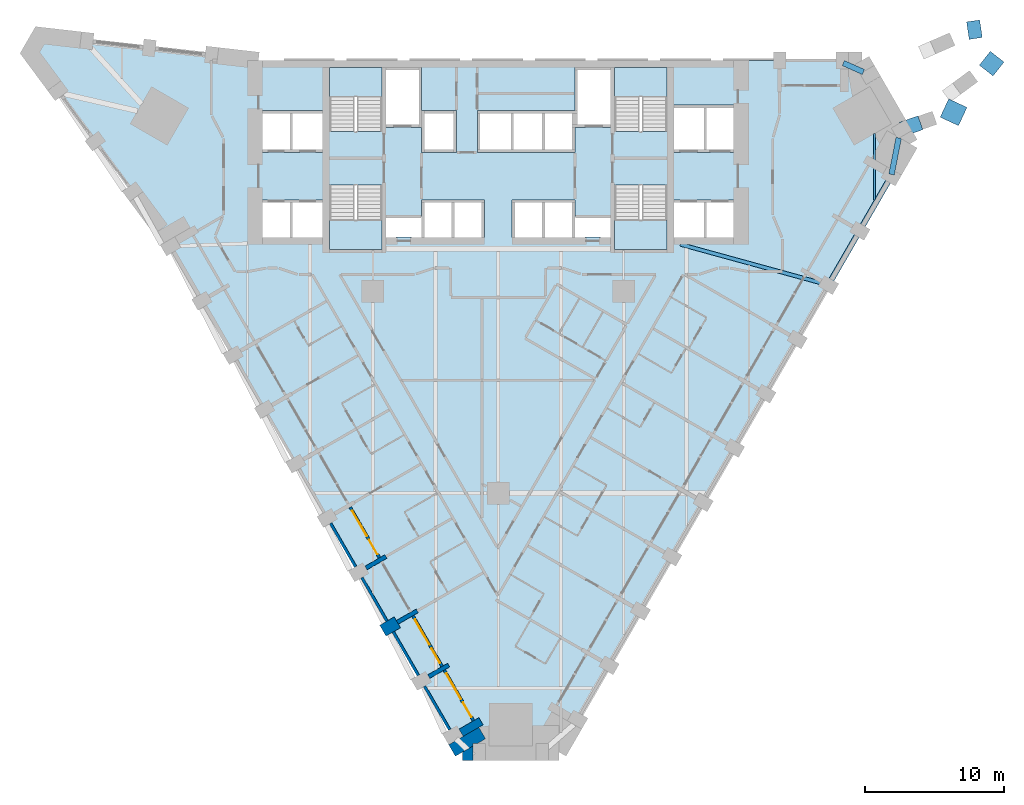
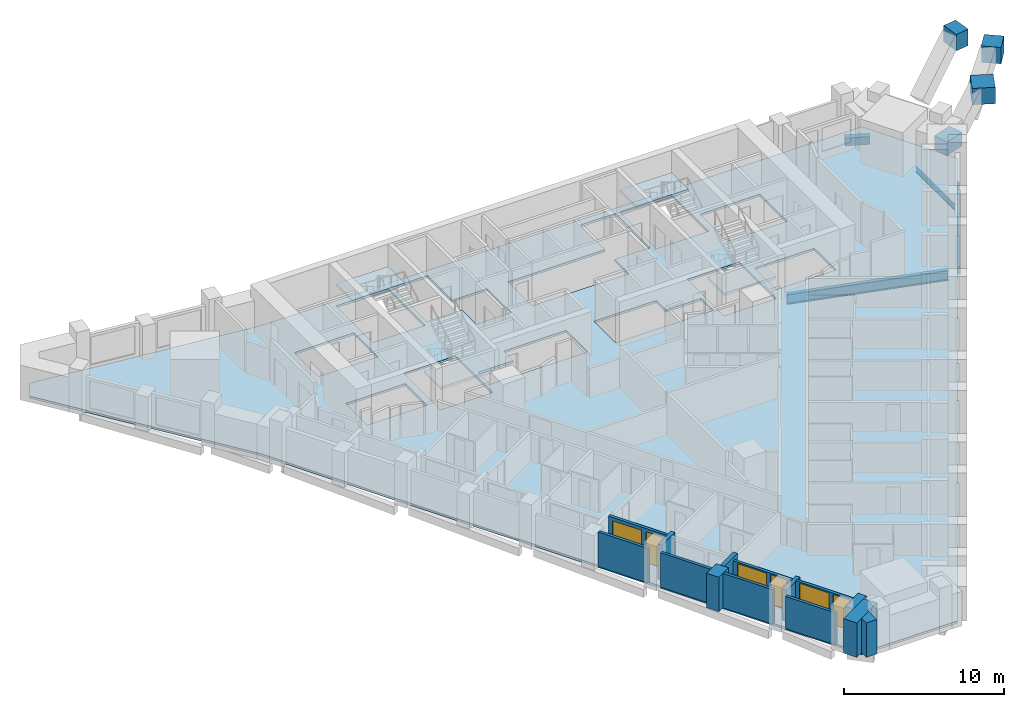
# One storey, part 2 of 12: 14 walls, 9 beams, 5 slabs, 3 doors, 3 windows, 6 openings, 4 elements without a shape of their own.
"""IFC4 building model written with IfcOpenShell, lengths in metres."""

import ifcopenshell
import ifcopenshell.guid

model = None  # the IFC model being written
_history = None  # IfcOwnerHistory: only IFC2X3 demands one
_inside = {}  # id of a spatial element -> (the spatial element, [elements in it])
_under = {}  # id of a project, library or spatial element -> (it, [spatial elements below it])
_declared = {}  # id of a project -> (the project, [libraries it declares])
_typed = {}  # id of a type object -> (the type object, [elements of that type])
_made_of = {}  # id of a material, layer set ... -> (it, [elements and type objects made of it])


def new_model(schema):
    """Start an empty IFC model of exactly this schema.

    Asked for "IFC4X3", IfcOpenShell would pick the latest addendum, in which some entities
    have other attributes; the version numbers below select the first issue.
    IFC2X3 requires an IfcOwnerHistory on every rooted entity: one is made here for all.
    """
    global model, _history
    if schema == "IFC4X3":
        model = ifcopenshell.file(schema_version=(4, 3, 0, 0))
    else:
        model = ifcopenshell.file(schema=schema)
    _inside.clear()
    _under.clear()
    _declared.clear()
    _typed.clear()
    _made_of.clear()
    _history = None
    if model.schema == "IFC2X3":
        org = make("IfcOrganization", Name="unknown")
        user = make(
            "IfcPersonAndOrganization",
            ThePerson=make("IfcPerson", FamilyName="unknown"),
            TheOrganization=org,
        )
        app = make(
            "IfcApplication",
            ApplicationDeveloper=org,
            Version="unknown",
            ApplicationFullName="unknown",
            ApplicationIdentifier="unknown",
        )
        _history = make(
            "IfcOwnerHistory",
            OwningUser=user,
            OwningApplication=app,
            ChangeAction="ADDED",
            CreationDate=0,
        )
    return model


def make(cls, **values):
    """One entity of the class cls with the attributes given. An attribute that is None is left unset."""
    return model.create_entity(
        cls, **{name: value for name, value in values.items() if value is not None}
    )


def rooted(cls, **values):
    """An entity with a GlobalId (a new one), such as an element, a storey or a relation."""
    return make(cls, GlobalId=ifcopenshell.guid.new(), OwnerHistory=_history, **values)


def si_unit(unit_type, name, prefix=None):
    """IfcSIUnit, for example si_unit("LENGTHUNIT", "METRE", prefix="MILLI")."""
    return make("IfcSIUnit", UnitType=unit_type, Prefix=prefix, Name=name)


def assignment(units):
    """IfcUnitAssignment: the units of a project."""
    return None if units is None else make("IfcUnitAssignment", Units=units)


def point(xyz):
    """IfcCartesianPoint."""
    return None if xyz is None else make("IfcCartesianPoint", Coordinates=xyz)


def direction(xyz):
    """IfcDirection."""
    return None if xyz is None else make("IfcDirection", DirectionRatios=xyz)


def frame(location, z_axis=None, x_axis=None):
    """IfcAxis2Placement3D, a coordinate frame: its origin and axes. An axis left out is left unset."""
    return make(
        "IfcAxis2Placement3D",
        Location=point(location),
        Axis=direction(z_axis),
        RefDirection=direction(x_axis),
    )


def frame_2d(location, x_axis=None):
    """IfcAxis2Placement2D, a coordinate frame in the plane: its origin and x axis."""
    return make(
        "IfcAxis2Placement2D", Location=point(location), RefDirection=direction(x_axis)
    )


def origin():
    """The frame at (0, 0, 0) with its axes left unset."""
    return frame((0.0, 0.0, 0.0))


def origin_2d():
    """The frame at (0, 0) in the plane with its x axis left unset."""
    return frame_2d((0.0, 0.0))


def place(relative_to, where):
    """IfcLocalPlacement: puts the frame where relative to a parent placement (None: the world)."""
    return make(
        "IfcLocalPlacement", PlacementRelTo=relative_to, RelativePlacement=where
    )


def context(
    kind, dimensions, precision=None, world=None, true_north=None, identifier=None
):
    """IfcGeometricRepresentationContext, for example the 3D "Model" context."""
    return make(
        "IfcGeometricRepresentationContext",
        ContextIdentifier=identifier,
        ContextType=kind,
        CoordinateSpaceDimension=dimensions,
        Precision=precision,
        WorldCoordinateSystem=world,
        TrueNorth=true_north,
    )


def subcontext(parent, identifier, kind, view, scale=None):
    """IfcGeometricRepresentationSubContext, for example "Body" below "Model"."""
    return make(
        "IfcGeometricRepresentationSubContext",
        ContextIdentifier=identifier,
        ContextType=kind,
        ParentContext=parent,
        TargetScale=scale,
        TargetView=view,
    )


def project(units=None, contexts=None):
    """IfcProject with its units and contexts."""
    return rooted(
        "IfcProject",
        Name="project",
        RepresentationContexts=contexts,
        UnitsInContext=assignment(units),
    )


def spatial(cls, under=None, at=None, **own):
    """A site, building, storey or space (cls), placed at a placement, below another one or the project."""
    s = rooted(cls, ObjectPlacement=at, **own)
    if under is not None:
        _under.setdefault(under.id(), (under, []))[1].append(s)
    return s


def polyline(points):
    """IfcPolyline through the points."""
    return make("IfcPolyline", Points=[point(p) for p in points])


def profile(cls, at=None, kind="AREA", **sizes):
    """A parametric profile (cls). Its sizes go by their IFC names, for example OverallWidth=200.0."""
    return make(cls, ProfileType=kind, Position=at, **sizes)


def rectangle(**sizes):
    """IfcRectangleProfileDef."""
    return profile("IfcRectangleProfileDef", **sizes)


def i_section(**sizes):
    """IfcIShapeProfileDef."""
    return profile("IfcIShapeProfileDef", **sizes)


def outline(outer, holes=None, kind="AREA"):
    """IfcArbitraryClosedProfileDef: a profile drawn as a closed curve; with holes, ...WithVoids."""
    if holes is None:
        return make("IfcArbitraryClosedProfileDef", ProfileType=kind, OuterCurve=outer)
    return make(
        "IfcArbitraryProfileDefWithVoids",
        ProfileType=kind,
        OuterCurve=outer,
        InnerCurves=holes,
    )


def extrude(swept, where, along, depth):
    """IfcExtrudedAreaSolid: the profile swept, set in the frame where, extruded along a direction by depth."""
    return make(
        "IfcExtrudedAreaSolid",
        SweptArea=swept,
        Position=where,
        ExtrudedDirection=direction(along),
        Depth=depth,
    )


def shape(context_of_items, identifier, shape_type, items):
    """IfcShapeRepresentation: the items that make up one representation, for example the "Body"."""
    return make(
        "IfcShapeRepresentation",
        ContextOfItems=context_of_items,
        RepresentationIdentifier=identifier,
        RepresentationType=shape_type,
        Items=items,
    )


def material(Name=None, Category=None):
    """IfcMaterial."""
    return make("IfcMaterial", Name=Name, Category=Category)


def layer(
    of_material, thickness, ventilated=None, Name=None, Category=None, Priority=None
):
    """IfcMaterialLayer: one layer of a wall or slab, of a material (None: an air gap)."""
    return make(
        "IfcMaterialLayer",
        Material=of_material,
        LayerThickness=thickness,
        IsVentilated=ventilated,
        Name=Name,
        Category=Category,
        Priority=Priority,
    )


def layer_set(layers, Name=None):
    """IfcMaterialLayerSet."""
    return make("IfcMaterialLayerSet", MaterialLayers=layers, LayerSetName=Name)


def material_profile(
    of_material, cross_section, Name=None, Category=None, Priority=None
):
    """IfcMaterialProfile: a cross section and its material."""
    return make(
        "IfcMaterialProfile",
        Name=Name,
        Material=of_material,
        Profile=cross_section,
        Priority=Priority,
        Category=Category,
    )


def profile_set(profiles, Name=None, composite=None):
    """IfcMaterialProfileSet."""
    return make(
        "IfcMaterialProfileSet",
        Name=Name,
        MaterialProfiles=profiles,
        CompositeProfile=composite,
    )


def made_of(thing, what):
    """Note that an element or type object is made of a material, layer set ...; save() writes the relation."""
    if what is not None:
        _made_of.setdefault(what.id(), (what, []))[1].append(thing)
    return thing


def type_object(cls, material=None, **own):
    """A type object (cls), such as IfcWallType, which elements share."""
    return made_of(rooted(cls, **own), material)


def element(
    cls,
    number,
    at=None,
    inside=None,
    cuts=None,
    type_object=None,
    material=None,
    context=None,
    identifier="Body",
    shape_type=None,
    held_by="IfcProductDefinitionShape",
    body=None,
    shapes=None,
    **own,
):
    """One element of the class cls, such as IfcWall. Its Tag is "e" and its number.

    at: its placement. inside: the storey or other place that contains it. cuts: it is an
    opening in that element (IfcRelVoidsElement). A single representation is given by context,
    identifier, shape_type and body (its items); several are given by shapes. held_by: the class
    of the entity that holds the representations. save() writes the other relations.
    """
    e = rooted(cls, Tag="e%d" % number, ObjectPlacement=at, **own)
    if body is not None:
        shapes = [shape(context, identifier, shape_type, body)]
    if shapes is not None:
        e.Representation = make(held_by, Representations=shapes)
    if inside is not None:
        _inside.setdefault(inside.id(), (inside, []))[1].append(e)
    if cuts is not None:
        rooted(
            "IfcRelVoidsElement", RelatingBuildingElement=cuts, RelatedOpeningElement=e
        )
    if type_object is not None:
        _typed.setdefault(type_object.id(), (type_object, []))[1].append(e)
    return made_of(e, material)


def fill(opening, filler):
    """IfcRelFillsElement: the door or window that sits in an opening."""
    return rooted(
        "IfcRelFillsElement",
        RelatingOpeningElement=opening,
        RelatedBuildingElement=filler,
    )


def aggregate(whole, parts):
    """IfcRelAggregates: a whole, such as a stair, and the parts it consists of."""
    return rooted("IfcRelAggregates", RelatingObject=whole, RelatedObjects=parts)


def save(model, path):
    """Write the relations noted so far, then the file.

    IfcRelAggregates (storeys below a building ...), IfcRelContainedInSpatialStructure (elements
    in a storey), IfcRelDefinesByType, IfcRelAssociatesMaterial and IfcRelDeclares: one each for
    every whole, place, type object, material and project.
    """
    for whole, parts in _under.values():
        aggregate(whole, parts)
    for where, things in _inside.values():
        rooted(
            "IfcRelContainedInSpatialStructure",
            RelatedElements=things,
            RelatingStructure=where,
        )
    for kind, things in _typed.values():
        rooted("IfcRelDefinesByType", RelatedObjects=things, RelatingType=kind)
    for what, things in _made_of.values():
        rooted("IfcRelAssociatesMaterial", RelatedObjects=things, RelatingMaterial=what)
    for by, libraries in _declared.values():
        rooted("IfcRelDeclares", RelatingContext=by, RelatedDefinitions=libraries)
    model.write(path)


model = new_model("IFC4")

# Units and contexts
model_context = context("Model", 3, precision=1e-05, world=origin(), true_north=direction((0.0, 1.0)))
body_context = subcontext(model_context, "Body", "Model", "MODEL_VIEW")
ifc_project = project(units=[si_unit("LENGTHUNIT", "METRE"), si_unit("AREAUNIT", "SQUARE_METRE"), si_unit("VOLUMEUNIT", "CUBIC_METRE"), si_unit("PLANEANGLEUNIT", "RADIAN"), si_unit("MASSUNIT", "GRAM", prefix="KILO")], contexts=[model_context])

# Site, building, storey
site_placement = place(None, origin())
site = spatial("IfcSite", under=ifc_project, at=site_placement, CompositionType="ELEMENT")
building_placement = place(site_placement, origin())
building = spatial("IfcBuilding", under=site, at=building_placement, Name="Calabash Gate Tower", CompositionType="ELEMENT")
storey_placement = place(building_placement, frame((0.0, 0.0, 83.39990234375)))
storey = spatial("IfcBuildingStorey", under=building, at=storey_placement, Name="L17", CompositionType="ELEMENT", Elevation=83.39990234375)

# Beams
ifc_material_1 = material(Name="Concrete C60/75", Category="concrete")
ifc_material_profile_1 = material_profile(ifc_material_1, rectangle(XDim=0.39990234375, YDim=0.60009765625, at=origin_2d()))
ifc_profile_set_1 = profile_set([ifc_material_profile_1], Name="Concrete C60/75")
beam_type_1 = type_object("IfcBeamType", Name="Edge beam RC 400x600 Concrete C60/75", PredefinedType="BEAM", material=ifc_profile_set_1)
beam_1_placement = place(storey_placement, frame((23.76611328125, 3.06005859375, -0.469970703125), z_axis=(0.500053563446, 0.865994476706, 0.0), x_axis=(-0.865994476706, 0.500053563446, 0.0)))
element("IfcBeam", 1, at=beam_1_placement, inside=storey, type_object=beam_type_1, Name="Edge beam L17 11", PredefinedType="BEAM", context=body_context, shape_type="SweptSolid", body=[
    extrude(rectangle(XDim=0.39990234375, YDim=0.60009765625, at=origin_2d()), origin(), (0.0, 0.0, 1.0), 8.4248046875),
])
beam_2_placement = place(storey_placement, frame((28.220947265625, 10.876953125, -0.469970703125), z_axis=(0.194549660951, 0.980892669676, 0.0), x_axis=(-0.980892669676, 0.194549660951, 0.0)))
element("IfcBeam", 2, at=beam_2_placement, inside=storey, type_object=beam_type_1, Name="Edge beam L17 12", PredefinedType="BEAM", context=body_context, shape_type="SweptSolid", body=[
    extrude(rectangle(XDim=0.39990234375, YDim=0.60009765625, at=origin_2d()), origin(), (0.0, 0.0, 1.0), 2.66796875),
])
beam_3_placement = place(storey_placement, frame((26.202880859375, 18.22705078125, -0.469970703125), z_axis=(-0.913625671127, 0.406556432807, 0.0), x_axis=(-0.406556432807, -0.913625671127, 0.0)))
element("IfcBeam", 3, at=beam_3_placement, inside=storey, type_object=beam_type_1, Name="Edge beam L17 13", PredefinedType="BEAM", context=body_context, shape_type="SweptSolid", body=[
    extrude(rectangle(XDim=0.39990234375, YDim=0.60009765625, at=origin_2d()), origin(), (0.0, 0.0, 1.0), 1.571533203125),
])
ifc_material_2 = material(Name="Steel ASTM A992 Gr50", Category="steel")
ifc_material_profile_2 = material_profile(ifc_material_2, i_section(OverallWidth=0.1396484375, OverallDepth=0.398681640625, WebThickness=0.00634765625, FlangeThickness=0.0087890625, FilletRadius=0.01025390625, at=origin_2d()))
ifc_profile_set_2 = profile_set([ifc_material_profile_2], Name="Steel ASTM A992 Gr50")
beam_type_2 = type_object("IfcBeamType", Name="Floor beam W16x26 ASTM A992 Gr50", PredefinedType="BEAM", material=ifc_profile_set_2)
beam_4_placement = place(storey_placement, frame((27.0, 9.028076171875, -0.368896484375), z_axis=(0.0, 1.0, 0.0), x_axis=(-1.0, 0.0, 0.0)))
element("IfcBeam", 4, at=beam_4_placement, inside=storey, type_object=beam_type_2, Name="Floor beam L17 20", PredefinedType="BEAM", context=body_context, shape_type="SweptSolid", body=[
    extrude(i_section(OverallWidth=0.1396484375, OverallDepth=0.398681640625, WebThickness=0.00634765625, FlangeThickness=0.0087890625, FilletRadius=0.01025390625, at=origin_2d()), origin(), (0.0, 0.0, 1.0), 4.7939453125),
])
ifc_material_3 = material(Name="Steel ASTM A992 Gr50", Category="steel")
ifc_material_profile_3 = material_profile(ifc_material_3, i_section(OverallWidth=0.2666015625, OverallDepth=0.77978515625, WebThickness=0.0166015625, FlangeThickness=0.030029296875, FilletRadius=0.0166015625, at=origin_2d()))
ifc_profile_set_3 = profile_set([ifc_material_profile_3], Name="Steel ASTM A992 Gr50")
beam_type_3 = type_object("IfcBeamType", Name="Girder W30x148 ASTM A992 Gr50", PredefinedType="BEAM", material=ifc_profile_set_3)
beam_5_placement = place(storey_placement, frame((23.12109375, 3.09912109375, -0.559814453125), z_axis=(-0.964327320459, 0.264712710341, 0.0), x_axis=(-0.264712710341, -0.964327320459, 0.0)))
element("IfcBeam", 5, at=beam_5_placement, inside=storey, type_object=beam_type_3, Name="Girder L17 3", PredefinedType="BEAM", context=body_context, shape_type="SweptSolid", body=[
    extrude(i_section(OverallWidth=0.2666015625, OverallDepth=0.77978515625, WebThickness=0.0166015625, FlangeThickness=0.030029296875, FilletRadius=0.0166015625, at=origin_2d()), origin(), (0.0, 0.0, 1.0), 10.421875),
])
ifc_material_4 = material(Name="Concrete C80/95", Category="concrete")
ifc_material_profile_4 = material_profile(ifc_material_4, rectangle(XDim=1.050048828125, YDim=1.050048828125, at=origin_2d()))
ifc_profile_set_4 = profile_set([ifc_material_profile_4], Name="Concrete C80/95")
beam_type_4 = type_object("IfcBeamType", Name="Transfer node RC 1050x1050 Concrete C80/95", PredefinedType="BEAM", material=ifc_profile_set_4)
beam_6_placement = place(storey_placement, frame((28.947021484375, 14.113037109375, 0.527099609375), z_axis=(0.944489889096, 0.328540483648, 0.0), x_axis=(-0.328540483648, 0.944489889096, 0.0)))
element("IfcBeam", 6, at=beam_6_placement, inside=storey, type_object=beam_type_4, Name="Transfer node L18 prow foot P21", PredefinedType="BEAM", context=body_context, shape_type="SweptSolid", body=[
    extrude(rectangle(XDim=1.050048828125, YDim=1.050048828125, at=origin_2d()), origin(), (0.0, 0.0, 1.0), 1.430419921875),
])
ifc_material_5 = material(Name="Concrete C80/95", Category="concrete")
ifc_material_profile_5 = material_profile(ifc_material_5, rectangle(XDim=1.25, YDim=1.25, at=origin_2d()))
ifc_profile_set_5 = profile_set([ifc_material_profile_5], Name="Concrete C80/95")
beam_type_5 = type_object("IfcBeamType", Name="Transfer node RC 1250x1250 Concrete C80/95", PredefinedType="BEAM", material=ifc_profile_set_5)
beam_7_placement = place(storey_placement, frame((35.01708984375, 18.326904296875, 2.777099609375), z_axis=(0.619026820556, 0.785369846272, 0.0), x_axis=(-0.785369846272, 0.619026820556, 0.0)))
element("IfcBeam", 7, at=beam_7_placement, inside=storey, type_object=beam_type_5, Name="Transfer node L18 prow head P22", PredefinedType="BEAM", context=body_context, shape_type="SweptSolid", body=[
    extrude(rectangle(XDim=1.25, YDim=1.25, at=origin_2d()), origin(), (0.0, 0.0, 1.0), 1.26953125),
])
ifc_material_6 = material(Name="Concrete C80/95", Category="concrete")
ifc_material_profile_6 = material_profile(ifc_material_6, rectangle(XDim=1.449951171875, YDim=1.25, at=origin_2d()))
ifc_profile_set_6 = profile_set([ifc_material_profile_6], Name="Concrete C80/95")
beam_type_6 = type_object("IfcBeamType", Name="Transfer node RC 1450x1250 Concrete C80/95", PredefinedType="BEAM", material=ifc_profile_set_6)
beam_8_placement = place(storey_placement, frame((32.37109375, 14.677001953125, 2.777099609375), z_axis=(0.422110732572, 0.906544278812, 0.0), x_axis=(-0.906544278812, 0.422110732572, 0.0)))
element("IfcBeam", 8, at=beam_8_placement, inside=storey, type_object=beam_type_6, Name="Transfer node L18 prow head P21", PredefinedType="BEAM", context=body_context, shape_type="SweptSolid", body=[
    extrude(rectangle(XDim=1.449951171875, YDim=1.25, at=origin_2d()), origin(), (0.0, 0.0, 1.0), 1.449462890625),
])
ifc_material_7 = material(Name="Concrete C80/95", Category="concrete")
ifc_material_profile_7 = material_profile(ifc_material_7, rectangle(XDim=0.949951171875, YDim=1.25, at=origin_2d()))
ifc_profile_set_7 = profile_set([ifc_material_profile_7], Name="Concrete C80/95")
beam_type_7 = type_object("IfcBeamType", Name="Transfer node RC 950x1250 Concrete C80/95", PredefinedType="BEAM", material=ifc_profile_set_7)
beam_9_placement = place(storey_placement, frame((34.080078125, 21.888916015625, 2.777099609375), z_axis=(0.144840518153, -0.989455013783, 0.0), x_axis=(0.989455013783, 0.144840518153, 0.0)))
element("IfcBeam", 9, at=beam_9_placement, inside=storey, type_object=beam_type_7, Name="Transfer node L18 prow head P23", PredefinedType="BEAM", context=body_context, shape_type="SweptSolid", body=[
    extrude(rectangle(XDim=0.949951171875, YDim=1.25, at=origin_2d()), origin(), (0.0, 0.0, 1.0), 1.269287109375),
])

# Slab
ifc_material_8 = material(Name="Concrete C40/50", Category="concrete")
ifc_layer_1 = layer(ifc_material_8, 0.169921875)
ifc_layer_set_1 = layer_set([ifc_layer_1], Name="Composite floor slab 170 Concrete C40/50")
slab_type_1 = type_object("IfcSlabType", Name="Composite floor slab 170 Concrete C40/50", PredefinedType="FLOOR", material=ifc_layer_set_1)
slab_1_placement = place(storey_placement, frame((0.0, 0.0, -0.169921875)))
element("IfcSlab", 10, at=slab_1_placement, inside=storey, type_object=slab_type_1, Name="Floor slab L17", PredefinedType="FLOOR", context=body_context, shape_type="SweptSolid", body=[
    extrude(outline(polyline([(-24.2099609375, 6.92822265625), (-33.6025390625, 19.606201171875), (-32.8857421875, 20.84765625), (-17.2099609375, 19.052490234375), (26.09375, 19.052490234375), (29.546875, 13.071533203125), (4.34814453125, -30.573974609375), (-2.55810546875, -30.573974609375), (-24.2099609375, 6.92822265625)]), holes=[polyline([(-5.5, 9.052490234375), (-5.5, 7.8525390625), (-8.050048828125, 7.8525390625), (-8.050048828125, 6.3525390625), (-7.324951171875, 6.3525390625), (-7.324951171875, 6.402587890625), (-6.22509765625, 6.402587890625), (-6.22509765625, 6.3525390625), (-5.5, 6.3525390625), (-3.25, 6.3525390625), (-1.0, 6.3525390625), (-1.0, 9.052490234375), (-3.25, 9.052490234375), (-5.5, 9.052490234375)]), polyline([(5.5, 9.052490234375), (3.25, 9.052490234375), (1.0, 9.052490234375), (1.0, 6.3525390625), (3.25, 6.3525390625), (5.5, 6.3525390625), (6.22509765625, 6.3525390625), (6.22509765625, 6.402587890625), (7.324951171875, 6.402587890625), (7.324951171875, 6.3525390625), (8.050048828125, 6.3525390625), (8.050048828125, 7.8525390625), (5.5, 7.8525390625), (5.5, 9.052490234375)]), polyline([(-5.5, 14.252685546875), (-5.5, 12.45263671875), (-3.0, 12.45263671875), (-3.0, 15.45263671875), (-5.5, 15.45263671875), (-5.5, 18.552490234375), (-8.050048828125, 18.552490234375), (-8.050048828125, 14.252685546875), (-5.5, 14.252685546875)]), polyline([(8.050048828125, 18.552490234375), (5.5, 18.552490234375), (5.5, 15.45263671875), (3.25, 15.45263671875), (1.0, 15.45263671875), (-1.5, 15.45263671875), (-1.5, 12.45263671875), (1.0, 12.45263671875), (3.25, 12.45263671875), (5.5, 12.45263671875), (5.5, 14.252685546875), (8.050048828125, 14.252685546875), (8.050048828125, 18.552490234375)]), polyline([(-12.60009765625, 6.3525390625), (-12.60009765625, 9.052490234375), (-14.85009765625, 9.052490234375), (-16.89990234375, 9.052490234375), (-16.89990234375, 6.3525390625), (-14.85009765625, 6.3525390625), (-12.60009765625, 6.3525390625)]), polyline([(-14.85009765625, 12.45263671875), (-12.60009765625, 12.45263671875), (-12.60009765625, 15.45263671875), (-14.85009765625, 15.45263671875), (-16.89990234375, 15.45263671875), (-16.89990234375, 12.45263671875), (-14.85009765625, 12.45263671875)]), polyline([(14.85009765625, 6.3525390625), (16.89990234375, 6.3525390625), (16.89990234375, 9.052490234375), (14.85009765625, 9.052490234375), (12.60009765625, 9.052490234375), (12.60009765625, 6.3525390625), (14.85009765625, 6.3525390625)]), polyline([(14.85009765625, 12.45263671875), (16.89990234375, 12.45263671875), (16.89990234375, 15.8525390625), (14.85009765625, 15.8525390625), (12.60009765625, 15.8525390625), (12.60009765625, 12.45263671875), (14.85009765625, 12.45263671875)]), polyline([(-8.35009765625, 18.552490234375), (-12.10009765625, 18.552490234375), (-12.10009765625, 13.95263671875), (-8.35009765625, 13.95263671875), (-8.35009765625, 18.552490234375)]), polyline([(-12.10009765625, 10.1025390625), (-12.10009765625, 5.502685546875), (-8.35009765625, 5.502685546875), (-8.35009765625, 10.1025390625), (-12.10009765625, 10.1025390625)]), polyline([(8.35009765625, 13.95263671875), (12.10009765625, 13.95263671875), (12.10009765625, 18.552490234375), (8.35009765625, 18.552490234375), (8.35009765625, 13.95263671875)]), polyline([(12.10009765625, 5.502685546875), (12.10009765625, 10.1025390625), (8.35009765625, 10.1025390625), (8.35009765625, 5.502685546875), (12.10009765625, 5.502685546875)])]), origin(), (0.0, 0.0, 1.0), 0.169921875),
])

# Stair, slab
ifc_material_9 = material(Name="Concrete C40/50", Category="concrete")
stair_type = type_object("IfcStairType", Name="Exit stair 20 risers of 170 mm", PredefinedType="HALF_TURN_STAIR", material=ifc_material_9)
stair_1_placement = place(storey_placement, origin())
stair_1 = element("IfcStair", 11, at=stair_1_placement, inside=storey, type_object=stair_type, Name="L17 Exit stair ST1", PredefinedType="HALF_TURN_STAIR")
ifc_material_10 = material(Name="Concrete C40/50", Category="concrete")
ifc_layer_2 = layer(ifc_material_10, 0.199951171875)
ifc_layer_set_2 = layer_set([ifc_layer_2], Name="Stair landing SL200")
slab_type_2 = type_object("IfcSlabType", Name="Stair landing SL200", PredefinedType="LANDING", material=ifc_layer_set_2)
slab_2_placement = place(storey_placement, frame((0.0, 0.0, 1.5)))
slab_2 = element("IfcSlab", 12, at=slab_2_placement, type_object=slab_type_2, Name="ST1 landing 1", PredefinedType="LANDING", context=body_context, shape_type="SweptSolid", body=[
    extrude(outline(polyline([(-8.35009765625, 16.463623046875), (-8.35009765625, 18.552490234375), (-12.10009765625, 18.552490234375), (-12.10009765625, 16.463623046875), (-8.35009765625, 16.463623046875)])), origin(), (0.0, 0.0, 1.0), 0.2001953125),
])
aggregate(stair_1, [slab_2])

stair_2_placement = place(storey_placement, origin())
stair_2 = element("IfcStair", 13, at=stair_2_placement, inside=storey, type_object=stair_type, Name="L17 Exit stair ST2", PredefinedType="HALF_TURN_STAIR")
slab_3_placement = place(storey_placement, frame((0.0, 0.0, 1.5)))
slab_3 = element("IfcSlab", 14, at=slab_3_placement, type_object=slab_type_2, Name="ST2 landing 1", PredefinedType="LANDING", context=body_context, shape_type="SweptSolid", body=[
    extrude(outline(polyline([(-12.10009765625, 7.591552734375), (-12.10009765625, 5.502685546875), (-8.35009765625, 5.502685546875), (-8.35009765625, 7.591552734375), (-12.10009765625, 7.591552734375)])), origin(), (0.0, 0.0, 1.0), 0.2001953125),
])
aggregate(stair_2, [slab_3])

stair_3_placement = place(storey_placement, origin())
stair_3 = element("IfcStair", 15, at=stair_3_placement, inside=storey, type_object=stair_type, Name="L17 Exit stair ST3", PredefinedType="HALF_TURN_STAIR")
slab_4_placement = place(storey_placement, frame((0.0, 0.0, 1.5)))
slab_4 = element("IfcSlab", 16, at=slab_4_placement, type_object=slab_type_2, Name="ST3 landing 1", PredefinedType="LANDING", context=body_context, shape_type="SweptSolid", body=[
    extrude(outline(polyline([(12.10009765625, 16.463623046875), (12.10009765625, 18.552490234375), (8.35009765625, 18.552490234375), (8.35009765625, 16.463623046875), (12.10009765625, 16.463623046875)])), origin(), (0.0, 0.0, 1.0), 0.2001953125),
])
aggregate(stair_3, [slab_4])

stair_4_placement = place(storey_placement, origin())
stair_4 = element("IfcStair", 17, at=stair_4_placement, inside=storey, type_object=stair_type, Name="L17 Exit stair ST4", PredefinedType="HALF_TURN_STAIR")
slab_5_placement = place(storey_placement, frame((0.0, 0.0, 1.5)))
slab_5 = element("IfcSlab", 18, at=slab_5_placement, type_object=slab_type_2, Name="ST4 landing 1", PredefinedType="LANDING", context=body_context, shape_type="SweptSolid", body=[
    extrude(outline(polyline([(8.35009765625, 7.591552734375), (8.35009765625, 5.502685546875), (12.10009765625, 5.502685546875), (12.10009765625, 7.591552734375), (8.35009765625, 7.591552734375)])), origin(), (0.0, 0.0, 1.0), 0.2001953125),
])
aggregate(stair_4, [slab_5])

# Walls
ifc_material_11 = material(Name="Terracotta brick masonry, exposed face", Category="masonry")
ifc_layer_3 = layer(ifc_material_11, 2.5)
ifc_layer_set_3 = layer_set([ifc_layer_3], Name="Brick corner mass wall 2500")
wall_type_1 = type_object("IfcWallType", Name="Brick corner mass wall 2500", PredefinedType="SOLIDWALL", material=ifc_layer_set_3)
wall_1_placement = place(storey_placement, origin())
element("IfcWall", 19, at=wall_1_placement, inside=storey, type_object=wall_type_1, Name="Brick corner pier S04 2a", PredefinedType="SOLIDWALL", context=body_context, shape_type="SweptSolid", body=[
    extrude(outline(polyline([(-0.912841796875, -29.6240234375), (-1.388671875, -28.799560546875), (-3.5537109375, -30.049560546875), (-3.077880859375, -30.8740234375), (-1.802978515625, -30.137939453125), (-1.802978515625, -29.97412109375), (-1.51904296875, -29.97412109375), (-0.912841796875, -29.6240234375)])), origin(), (0.0, 0.0, 1.0), 2.630126953125),
])
wall_2_placement = place(storey_placement, origin())
element("IfcWall", 20, at=wall_2_placement, inside=storey, type_object=wall_type_1, Name="Brick corner pier S04 2ba", PredefinedType="SOLIDWALL", context=body_context, shape_type="SweptSolid", body=[
    extrude(outline(polyline([(-2.55810546875, -30.573974609375), (-2.55810546875, -31.173828125), (-1.802978515625, -31.173828125), (-1.802978515625, -30.137939453125), (-2.55810546875, -30.573974609375)])), origin(), (0.0, 0.0, 1.0), 2.630126953125),
])
ifc_material_12 = material(Name="Terracotta brick masonry, exposed face", Category="masonry")
ifc_layer_4 = layer(ifc_material_12, 1.199951171875)
ifc_layer_set_4 = layer_set([ifc_layer_4], Name="Brick end wall 1200")
wall_type_2 = type_object("IfcWallType", Name="Brick end wall 1200", PredefinedType="SOLIDWALL", material=ifc_layer_set_4)
wall_3_placement = place(storey_placement, frame((-7.239501953125, -21.265625, 0.0), z_axis=(0.0, 0.0, 1.0), x_axis=(-0.866006032174, -0.500033551112, 0.0)))
element("IfcWall", 21, at=wall_3_placement, inside=storey, type_object=wall_type_2, Name="Brick pier S04 SW0.7", PredefinedType="SOLIDWALL", context=body_context, shape_type="SweptSolid", body=[
    extrude(rectangle(XDim=1.2001953125, YDim=0.89990234375, at=frame_2d((0.60009765625, 0.0))), origin(), (0.0, 0.0, 1.0), 2.630126953125),
])
ifc_material_13 = material(Name="Terracotta brick masonry, exposed face", Category="masonry")
ifc_layer_5 = layer(ifc_material_13, 0.300048828125)
ifc_layer_set_5 = layer_set([ifc_layer_5], Name="Brick loggia cheek wall 300")
wall_type_3 = type_object("IfcWallType", Name="Brick loggia cheek wall 300", PredefinedType="SOLIDWALL", material=ifc_layer_set_5)
wall_4_placement = place(storey_placement, frame((-9.489501953125, -17.36865234375, 0.0), z_axis=(0.0, 0.0, 1.0), x_axis=(0.865976140824, 0.500085316245, 0.0)))
element("IfcWall", 22, at=wall_4_placement, inside=storey, type_object=wall_type_3, Name="Loggia cheek S04 SW0.6", PredefinedType="SOLIDWALL", context=body_context, shape_type="SweptSolid", body=[
    extrude(rectangle(XDim=1.650146484375, YDim=0.300048828125, at=frame_2d((0.8251953125, 0.0))), origin(), (0.0, 0.0, 1.0), 2.650146484375),
])
wall_5_placement = place(storey_placement, frame((-5.810546875, -20.440673828125, 0.0), z_axis=(0.0, 0.0, 1.0), x_axis=(-0.866040211805, -0.499974350878, 0.0)))
element("IfcWall", 23, at=wall_5_placement, inside=storey, type_object=wall_type_3, Name="Loggia cheek S04 SW0.7", PredefinedType="SOLIDWALL", context=body_context, shape_type="SweptSolid", body=[
    extrude(rectangle(XDim=1.64990234375, YDim=0.300048828125, at=frame_2d((0.824951171875, 0.0))), origin(), (0.0, 0.0, 1.0), 2.628173828125),
])
wall_6_placement = place(storey_placement, frame((-3.560546875, -24.337890625, 0.0), z_axis=(0.0, 0.0, 1.0), x_axis=(-0.866040211805, -0.499974350878, 0.0)))
element("IfcWall", 24, at=wall_6_placement, inside=storey, type_object=wall_type_3, Name="Loggia cheek S04 SW0.8", PredefinedType="SOLIDWALL", context=body_context, shape_type="SweptSolid", body=[
    extrude(rectangle(XDim=1.64990234375, YDim=0.300048828125, at=frame_2d((0.824951171875, 0.0))), origin(), (0.0, 0.0, 1.0), 2.38427734375),
])
wall_7_placement = place(storey_placement, frame((-2.66455078125, -29.189697265625, 0.0), z_axis=(0.0, 0.0, 1.0), x_axis=(0.866040211805, 0.499974350878, 0.0)))
element("IfcWall", 25, at=wall_7_placement, inside=storey, type_object=wall_type_3, Name="Loggia cheek S04 SW0.9", PredefinedType="SOLIDWALL", context=body_context, shape_type="SweptSolid", body=[
    extrude(rectangle(XDim=1.64990234375, YDim=0.60009765625, at=frame_2d((0.824951171875, 0.0))), origin(), (0.0, 0.0, 1.0), 2.630126953125),
])
ifc_material_14 = material(Name="Terracotta brick masonry, perforated", Category="masonry")
ifc_layer_6 = layer(ifc_material_14, 0.199951171875)
ifc_layer_set_6 = layer_set([ifc_layer_6], Name="Terracotta jaali screen B")
wall_type_4 = type_object("IfcWallType", Name="Terracotta jaali screen B", PredefinedType="SOLIDWALL", material=ifc_layer_set_6)
for number, where, z_axis, x_axis, name in (
    (26, (-12.0341796875, -14.1611328125, 0.0), (0.0, 0.0, 1.0), (0.500012057535, -0.866018442252, 0.0), "SCREEN B S04 SW0.6"),
    (27, (-9.7841796875, -18.058349609375, 0.0), (0.0, 0.0, 1.0), (0.500012057535, -0.866018442252, 0.0), "SCREEN B S04 SW0.7"),
    (28, (-7.5341796875, -21.955322265625, 0.0), (0.0, 0.0, 1.0), (0.500012057535, -0.866018442252, 0.0), "SCREEN B S04 SW0.8"),
):
    element("IfcWall", number, at=place(storey_placement, frame(where, z_axis=z_axis, x_axis=x_axis)), inside=storey, type_object=wall_type_4, Name=name, PredefinedType="SOLIDWALL", context=body_context, shape_type="SweptSolid", body=[
        extrude(rectangle(XDim=3.60009765625, YDim=0.199951171875, at=frame_2d((1.800048828125, 0.0))), origin(), (0.0, 0.0, 1.0), 2.630126953125),
    ])
wall_8_placement = place(storey_placement, frame((-5.2841796875, -25.8525390625, 0.0), z_axis=(0.0, 0.0, 1.0), x_axis=(0.500012057535, -0.866018442252, 0.0)))
element("IfcWall", 29, at=wall_8_placement, inside=storey, type_object=wall_type_4, Name="SCREEN B S04 SW0.9", PredefinedType="SOLIDWALL", context=body_context, shape_type="SweptSolid", body=[
    extrude(rectangle(XDim=3.60009765625, YDim=0.199951171875, at=frame_2d((1.800048828125, 0.0))), origin(), (0.0, 0.0, 1.0), 2.4501953125),
])

# Wall, openings, door, window
ifc_material_15 = material(Name="Aluminium framed window wall with insulated spandrel", Category="aluminium")
ifc_layer_7 = layer(ifc_material_15, 0.199951171875)
ifc_layer_set_7 = layer_set([ifc_layer_7], Name="Window wall 200")
wall_type_5 = type_object("IfcWallType", Name="Window wall 200", PredefinedType="ELEMENTEDWALL", material=ifc_layer_set_7)
wall_9_placement = place(storey_placement, frame((-10.625244140625, -13.001220703125, 0.0), z_axis=(0.0, 0.0, 1.0), x_axis=(0.499958946799, -0.866049104564, 0.0)))
wall_9 = element("IfcWall", 30, at=wall_9_placement, inside=storey, type_object=wall_type_5, Name="Window wall S04 SW0.6", PredefinedType="ELEMENTEDWALL", context=body_context, shape_type="SweptSolid", body=[
    extrude(rectangle(XDim=4.199951171875, YDim=0.199951171875, at=frame_2d((2.10009765625, 0.0))), origin(), (0.0, 0.0, 1.0), 2.650146484375),
])
opening_1_placement = place(wall_9_placement, frame((0.300048828125, 0.0, 0.60009765625)))
opening_1 = element("IfcOpeningElement", 31, at=opening_1_placement, cuts=wall_9, Name="Opening HW1", PredefinedType="OPENING", context=body_context, shape_type="SweptSolid", body=[
    extrude(rectangle(XDim=2.10009765625, YDim=1.800048828125, at=frame_2d((1.050048828125, 0.89990234375))), frame((0.0, 0.10986328125, 0.0), z_axis=(0.0, -1.0, 0.0), x_axis=(1.0, 0.0, 0.0)), (0.0, 0.0, 1.0), 0.219970703125),
])
opening_2_placement = place(wall_9_placement, frame((2.699951171875, 0.0, 0.0)))
opening_2 = element("IfcOpeningElement", 32, at=opening_2_placement, cuts=wall_9, Name="Opening H4-029", PredefinedType="OPENING", context=body_context, shape_type="SweptSolid", body=[
    extrude(rectangle(XDim=1.199951171875, YDim=2.39990234375, at=frame_2d((0.60009765625, 1.199951171875))), frame((0.0, 0.10986328125, 0.0), z_axis=(0.0, -1.0, 0.0), x_axis=(1.0, 0.0, 0.0)), (0.0, 0.0, 1.0), 0.219970703125),
])
ifc_material_16 = material(Name="Anodised aluminium frame, bronze finish, impact-rated laminated clear glazing", Category="aluminium")
door_type_1 = type_object("IfcDoorType", Name="Loggia door DH1 1200x2400", OperationType="SLIDING_TO_LEFT", PredefinedType="DOOR", material=ifc_material_16)
door_1_placement = place(opening_2_placement, origin())
door_1 = element("IfcDoor", 33, at=door_1_placement, inside=storey, type_object=door_type_1, Name="Loggia door S04 SW0.6", OperationType="SINGLE_SWING_LEFT", OverallHeight=2.39990234375, OverallWidth=1.199951171875, PredefinedType="DOOR", context=body_context, shape_type="SweptSolid", body=[
    extrude(rectangle(XDim=1.199951171875, YDim=2.39990234375, at=frame_2d((0.60009765625, 1.199951171875))), frame((0.0, 0.02490234375, 0.0), z_axis=(0.0, -1.0, 0.0), x_axis=(1.0, 0.0, 0.0)), (0.0, 0.0, 1.0), 0.050048828125),
])
fill(opening_2, door_1)
ifc_material_17 = material(Name="Anodised aluminium frame, bronze finish, impact-rated laminated clear glazing", Category="aluminium")
window_type_1 = type_object("IfcWindowType", Name="Window HW1 2100x1800", PartitioningType="DOUBLE_PANEL_VERTICAL", PredefinedType="WINDOW", material=ifc_material_17)
window_1_placement = place(opening_1_placement, origin())
window_1 = element("IfcWindow", 34, at=window_1_placement, inside=storey, type_object=window_type_1, Name="Window HW1 S04 SW0.6", OverallHeight=1.800048828125, OverallWidth=2.10009765625, PartitioningType="SINGLE_PANEL", PredefinedType="WINDOW", context=body_context, shape_type="SweptSolid", body=[
    extrude(rectangle(XDim=2.10009765625, YDim=1.800048828125, at=frame_2d((1.050048828125, 0.89990234375))), frame((0.0, 0.030029296875, 0.0), z_axis=(0.0, -1.0, 0.0), x_axis=(1.0, 0.0, 0.0)), (0.0, 0.0, 1.0), 0.06005859375),
])
fill(opening_1, window_1)

wall_10_placement = place(storey_placement, frame((-6.125244140625, -20.795654296875, 0.0), z_axis=(0.0, 0.0, 1.0), x_axis=(0.49998411664, -0.866034573852, 0.0)))
wall_10 = element("IfcWall", 35, at=wall_10_placement, inside=storey, type_object=wall_type_5, Name="Window wall S04 SW0.8", PredefinedType="ELEMENTEDWALL", context=body_context, shape_type="SweptSolid", body=[
    extrude(rectangle(XDim=4.199951171875, YDim=0.199951171875, at=frame_2d((2.10009765625, 0.0))), origin(), (0.0, 0.0, 1.0), 2.38427734375),
])
opening_3_placement = place(wall_10_placement, frame((0.300048828125, 0.0, 0.60009765625)))
opening_3 = element("IfcOpeningElement", 36, at=opening_3_placement, cuts=wall_10, Name="Opening HW1L-1680", PredefinedType="OPENING", context=body_context, shape_type="SweptSolid", body=[
    extrude(rectangle(XDim=2.10009765625, YDim=1.679931640625, at=frame_2d((1.050048828125, 0.83984375))), frame((0.0, 0.10986328125, 0.0), z_axis=(0.0, -1.0, 0.0), x_axis=(1.0, 0.0, 0.0)), (0.0, 0.0, 1.0), 0.219970703125),
])
opening_4_placement = place(wall_10_placement, frame((2.699951171875, 0.0, 0.0)))
opening_4 = element("IfcOpeningElement", 37, at=opening_4_placement, cuts=wall_10, Name="Opening H4-031", PredefinedType="OPENING", context=body_context, shape_type="SweptSolid", body=[
    extrude(rectangle(XDim=1.199951171875, YDim=2.280029296875, at=frame_2d((0.60009765625, 1.14013671875))), frame((0.0, 0.10986328125, 0.0), z_axis=(0.0, -1.0, 0.0), x_axis=(1.0, 0.0, 0.0)), (0.0, 0.0, 1.0), 0.219970703125),
])
ifc_material_18 = material(Name="Anodised aluminium frame, bronze finish, impact-rated laminated clear glazing", Category="aluminium")
door_type_2 = type_object("IfcDoorType", Name="Loggia door DH1L-2280 1200x2280", OperationType="SLIDING_TO_LEFT", PredefinedType="DOOR", material=ifc_material_18)
door_2_placement = place(opening_4_placement, origin())
door_2 = element("IfcDoor", 38, at=door_2_placement, inside=storey, type_object=door_type_2, Name="Loggia door S04 SW0.8", OperationType="SINGLE_SWING_LEFT", OverallHeight=2.280029296875, OverallWidth=1.199951171875, PredefinedType="DOOR", context=body_context, shape_type="SweptSolid", body=[
    extrude(rectangle(XDim=1.199951171875, YDim=2.280029296875, at=frame_2d((0.60009765625, 1.14013671875))), frame((0.0, 0.02490234375, 0.0), z_axis=(0.0, -1.0, 0.0), x_axis=(1.0, 0.0, 0.0)), (0.0, 0.0, 1.0), 0.050048828125),
])
fill(opening_4, door_2)
ifc_material_19 = material(Name="Anodised aluminium frame, bronze finish, impact-rated laminated clear glazing", Category="aluminium")
window_type_2 = type_object("IfcWindowType", Name="Window HW1L 2100x1680", PartitioningType="DOUBLE_PANEL_VERTICAL", PredefinedType="WINDOW", material=ifc_material_19)
window_2_placement = place(opening_3_placement, origin())
window_2 = element("IfcWindow", 39, at=window_2_placement, inside=storey, type_object=window_type_2, Name="Window HW1 S04 SW0.8", OverallHeight=1.679931640625, OverallWidth=2.10009765625, PartitioningType="SINGLE_PANEL", PredefinedType="WINDOW", context=body_context, shape_type="SweptSolid", body=[
    extrude(rectangle(XDim=2.10009765625, YDim=1.679931640625, at=frame_2d((1.050048828125, 0.83984375))), frame((0.0, 0.030029296875, 0.0), z_axis=(0.0, -1.0, 0.0), x_axis=(1.0, 0.0, 0.0)), (0.0, 0.0, 1.0), 0.06005859375),
])
fill(opening_3, window_2)

wall_11_placement = place(storey_placement, frame((-3.875244140625, -24.692626953125, 0.0), z_axis=(0.0, 0.0, 1.0), x_axis=(0.499958946799, -0.866049104564, 0.0)))
wall_11 = element("IfcWall", 40, at=wall_11_placement, inside=storey, type_object=wall_type_5, Name="Window wall S04 SW0.9", PredefinedType="ELEMENTEDWALL", context=body_context, shape_type="SweptSolid", body=[
    extrude(rectangle(XDim=4.199951171875, YDim=0.199951171875, at=frame_2d((2.10009765625, 0.0))), origin(), (0.0, 0.0, 1.0), 2.4501953125),
])
opening_5_placement = place(wall_11_placement, frame((0.300048828125, 0.0, 0.60009765625)))
opening_5 = element("IfcOpeningElement", 41, at=opening_5_placement, cuts=wall_11, Name="Opening HW1L-1750", PredefinedType="OPENING", context=body_context, shape_type="SweptSolid", body=[
    extrude(rectangle(XDim=2.10009765625, YDim=1.75, at=frame_2d((1.050048828125, 0.875))), frame((0.0, 0.10986328125, 0.0), z_axis=(0.0, -1.0, 0.0), x_axis=(1.0, 0.0, 0.0)), (0.0, 0.0, 1.0), 0.219970703125),
])
opening_6_placement = place(wall_11_placement, frame((2.699951171875, 0.0, 0.0)))
opening_6 = element("IfcOpeningElement", 42, at=opening_6_placement, cuts=wall_11, Name="Opening H4-032", PredefinedType="OPENING", context=body_context, shape_type="SweptSolid", body=[
    extrude(rectangle(XDim=1.199951171875, YDim=2.35009765625, at=frame_2d((0.60009765625, 1.175048828125))), frame((0.0, 0.10986328125, 0.0), z_axis=(0.0, -1.0, 0.0), x_axis=(1.0, 0.0, 0.0)), (0.0, 0.0, 1.0), 0.219970703125),
])
ifc_material_20 = material(Name="Anodised aluminium frame, bronze finish, impact-rated laminated clear glazing", Category="aluminium")
door_type_3 = type_object("IfcDoorType", Name="Loggia door DH1L-2350 1200x2350", OperationType="SLIDING_TO_LEFT", PredefinedType="DOOR", material=ifc_material_20)
door_3_placement = place(opening_6_placement, origin())
door_3 = element("IfcDoor", 43, at=door_3_placement, inside=storey, type_object=door_type_3, Name="Loggia door S04 SW0.9", OperationType="SINGLE_SWING_LEFT", OverallHeight=2.35009765625, OverallWidth=1.199951171875, PredefinedType="DOOR", context=body_context, shape_type="SweptSolid", body=[
    extrude(rectangle(XDim=1.199951171875, YDim=2.35009765625, at=frame_2d((0.60009765625, 1.175048828125))), frame((0.0, 0.02490234375, 0.0), z_axis=(0.0, -1.0, 0.0), x_axis=(1.0, 0.0, 0.0)), (0.0, 0.0, 1.0), 0.050048828125),
])
fill(opening_6, door_3)
ifc_material_21 = material(Name="Anodised aluminium frame, bronze finish, impact-rated laminated clear glazing", Category="aluminium")
window_type_3 = type_object("IfcWindowType", Name="Window HW1L 2100x1750", PartitioningType="DOUBLE_PANEL_VERTICAL", PredefinedType="WINDOW", material=ifc_material_21)
window_3_placement = place(opening_5_placement, origin())
window_3 = element("IfcWindow", 44, at=window_3_placement, inside=storey, type_object=window_type_3, Name="Window HW1 S04 SW0.9", OverallHeight=1.75, OverallWidth=2.10009765625, PartitioningType="SINGLE_PANEL", PredefinedType="WINDOW", context=body_context, shape_type="SweptSolid", body=[
    extrude(rectangle(XDim=2.10009765625, YDim=1.75, at=frame_2d((1.050048828125, 0.875))), frame((0.0, 0.030029296875, 0.0), z_axis=(0.0, -1.0, 0.0), x_axis=(1.0, 0.0, 0.0)), (0.0, 0.0, 1.0), 0.06005859375),
])
fill(opening_5, window_3)

save(model, "model.ifc")
